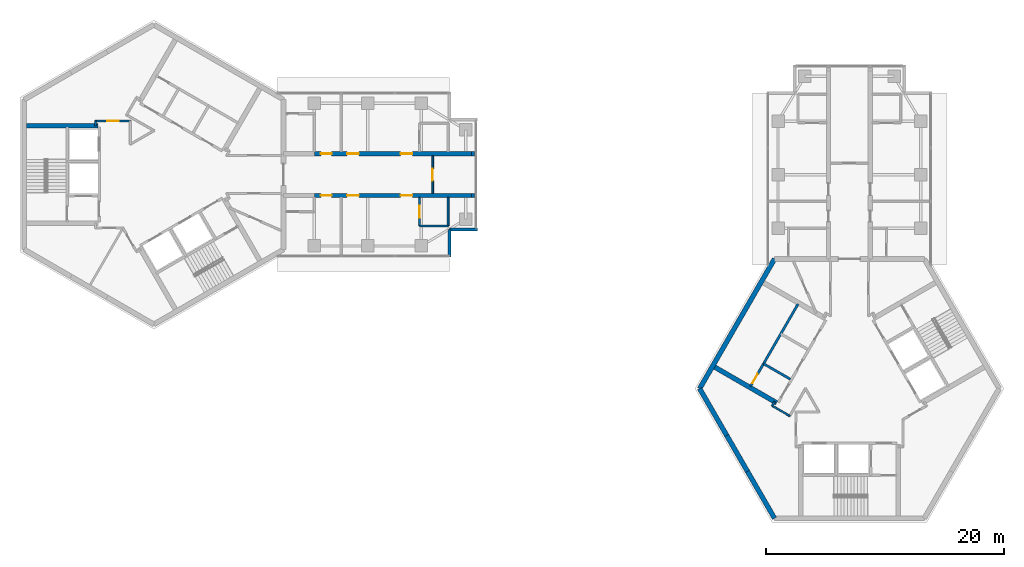
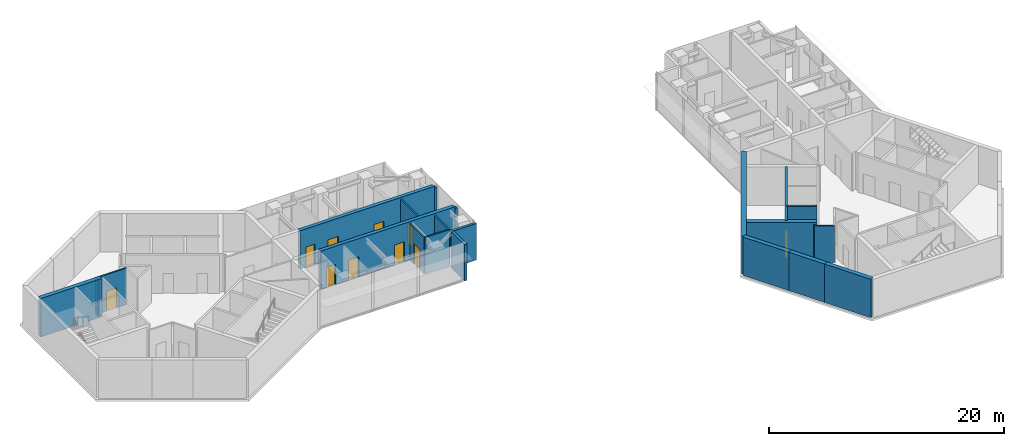
# One storey, part 6 of 11: 22 walls, 10 doors, 10 openings.
"""IFC4 building model written with IfcOpenShell, lengths in metres."""

from ifc_helpers import new_model, si_unit, direction, frame, frame_2d, origin, place, context, subcontext, project, spatial, rectangle, extrude, material, layer, layer_set, type_object, element, fill, save


model = new_model("IFC4")

# Units and contexts
model_context = context("Model", 3, precision=1e-05, world=origin(), true_north=direction((0.0, 1.0)))
body_context = subcontext(model_context, "Body", "Model", "MODEL_VIEW")
ifc_project = project(units=[si_unit("LENGTHUNIT", "METRE"), si_unit("AREAUNIT", "SQUARE_METRE"), si_unit("VOLUMEUNIT", "CUBIC_METRE"), si_unit("PLANEANGLEUNIT", "RADIAN"), si_unit("MASSUNIT", "GRAM", prefix="KILO")], contexts=[model_context])

# Site, building, storey
site_placement = place(None, origin())
site = spatial("IfcSite", under=ifc_project, at=site_placement, CompositionType="ELEMENT")
building_placement = place(site_placement, origin())
building = spatial("IfcBuilding", under=site, at=building_placement, Name="Upepo Twin Towers", CompositionType="ELEMENT")
storey_placement = place(building_placement, frame((0.0, 0.0, 251.5)))
storey = spatial("IfcBuildingStorey", under=building, at=storey_placement, Name="L61", CompositionType="ELEMENT", Elevation=251.5)

# Walls
ifc_material_1 = material(Name="Dense concrete blockwork", Category="masonry")
ifc_layer_1 = layer(ifc_material_1, 0.35009765625)
ifc_layer_set_1 = layer_set([ifc_layer_1], Name="Buttress closer 350, blockwork with fire-stopping to the curtain wall")
wall_type_1 = type_object("IfcWallType", Name="Buttress closer 350, blockwork with fire-stopping to the curtain wall", PredefinedType="PARTITIONING", material=ifc_layer_set_1)
for number, where, z_axis, x_axis, name in (
    (1, (26.699951171875, 1.75, 0.0), (0.0, 0.0, 1.0), (1.0, 0.0, 0.0), "T1 L61 wing A buttress closer L"),
    (2, (26.699951171875, -1.75, 0.0), (0.0, 0.0, 1.0), (1.0, 0.0, 0.0), "T1 L61 wing A buttress closer R"),
):
    element("IfcWall", number, at=place(storey_placement, frame(where, z_axis=z_axis, x_axis=x_axis)), inside=storey, type_object=wall_type_1, Name=name, PredefinedType="PARTITIONING", context=body_context, shape_type="SweptSolid", body=[
        extrude(rectangle(XDim=0.275146484375, YDim=0.35009765625, at=frame_2d((0.1376953125, 0.0))), origin(), (0.0, 0.0, 1.0), 3.800048828125),
    ])

# Wall, openings, doors
ifc_material_2 = material(Name="Concrete C60/75", Category="concrete")
ifc_layer_2 = layer(ifc_material_2, 0.35009765625)
ifc_layer_set_2 = layer_set([ifc_layer_2], Name="Concrete C60/75")
wall_type_2 = type_object("IfcWallType", Name="Buttress wall 350 RC", PredefinedType="SHEAR", material=ifc_layer_set_2)
wall_1_placement = place(storey_placement, frame((13.5, 1.75, 0.0), z_axis=(0.0, 0.0, 1.0), x_axis=(1.0, 0.0, 0.0)))
wall_1 = element("IfcWall", 3, at=wall_1_placement, inside=storey, type_object=wall_type_2, Name="T1 wing A buttress wall L part 2", PredefinedType="SHEAR", context=body_context, shape_type="SweptSolid", body=[
    extrude(rectangle(XDim=13.199951171875, YDim=0.35009765625, at=frame_2d((6.60009765625, 0.0))), origin(), (0.0, 0.0, 1.0), 4.0),
])
opening_1_placement = place(wall_1_placement, frame((0.550048828125, 0.0, 0.0)))
opening_1 = element("IfcOpeningElement", 4, at=opening_1_placement, cuts=wall_1, Name="Opening D11", PredefinedType="OPENING", context=body_context, shape_type="SweptSolid", body=[
    extrude(rectangle(XDim=0.89990234375, YDim=2.10009765625, at=frame_2d((0.449951171875, 1.050048828125))), frame((0.0, 0.18505859375, 0.0), z_axis=(0.0, -1.0, 0.0), x_axis=(1.0, 0.0, 0.0)), (0.0, 0.0, 1.0), 0.3701171875),
])
opening_2_placement = place(wall_1_placement, frame((2.75, 0.0, 0.0)))
opening_2 = element("IfcOpeningElement", 5, at=opening_2_placement, cuts=wall_1, Name="Opening D1", PredefinedType="OPENING", context=body_context, shape_type="SweptSolid", body=[
    extrude(rectangle(XDim=1.0, YDim=2.10009765625, at=frame_2d((0.5, 1.050048828125))), frame((0.0, 0.18505859375, 0.0), z_axis=(0.0, -1.0, 0.0), x_axis=(1.0, 0.0, 0.0)), (0.0, 0.0, 1.0), 0.3701171875),
])
opening_3_placement = place(wall_1_placement, frame((7.25, 0.0, 0.0)))
opening_3 = element("IfcOpeningElement", 6, at=opening_3_placement, cuts=wall_1, Name="Opening D1", PredefinedType="OPENING", context=body_context, shape_type="SweptSolid", body=[
    extrude(rectangle(XDim=1.0, YDim=2.10009765625, at=frame_2d((0.5, 1.050048828125))), frame((0.0, 0.18505859375, 0.0), z_axis=(0.0, -1.0, 0.0), x_axis=(1.0, 0.0, 0.0)), (0.0, 0.0, 1.0), 0.3701171875),
])
ifc_material_3 = material(Name="Timber doorset", Category="wood")
door_type_1 = type_object("IfcDoorType", Name="Room door 1000 FD30", OperationType="SINGLE_SWING_LEFT", PredefinedType="DOOR", material=ifc_material_3)
door_1_placement = place(opening_2_placement, origin())
door_1 = element("IfcDoor", 7, at=door_1_placement, inside=storey, type_object=door_type_1, Name="T1 L61 open-plan office door", OperationType="SINGLE_SWING_LEFT", OverallHeight=2.10009765625, OverallWidth=1.0, PredefinedType="DOOR", context=body_context, shape_type="SweptSolid", body=[
    extrude(rectangle(XDim=1.0, YDim=2.10009765625, at=frame_2d((0.5, 1.050048828125))), frame((0.0, 0.02490234375, 0.0), z_axis=(0.0, -1.0, 0.0), x_axis=(1.0, 0.0, 0.0)), (0.0, 0.0, 1.0), 0.050048828125),
])
fill(opening_2, door_1)
door_2_placement = place(opening_3_placement, origin())
door_2 = element("IfcDoor", 8, at=door_2_placement, inside=storey, type_object=door_type_1, Name="T1 L61 open-plan office door", OperationType="SINGLE_SWING_RIGHT", OverallHeight=2.10009765625, OverallWidth=1.0, PredefinedType="DOOR", context=body_context, shape_type="SweptSolid", body=[
    extrude(rectangle(XDim=1.0, YDim=2.10009765625, at=frame_2d((0.5, 1.050048828125))), frame((0.0, 0.02490234375, 0.0), z_axis=(0.0, -1.0, 0.0), x_axis=(1.0, 0.0, 0.0)), (0.0, 0.0, 1.0), 0.050048828125),
])
fill(opening_3, door_2)
ifc_material_4 = material(Name="Timber doorset", Category="wood")
door_type_2 = type_object("IfcDoorType", Name="Toilet door 900", OperationType="SINGLE_SWING_LEFT", PredefinedType="DOOR", material=ifc_material_4)
door_3_placement = place(opening_1_placement, origin())
door_3 = element("IfcDoor", 9, at=door_3_placement, inside=storey, type_object=door_type_2, Name="T1 L61 accessible wc door", OperationType="SINGLE_SWING_LEFT", OverallHeight=2.10009765625, OverallWidth=0.89990234375, PredefinedType="DOOR", context=body_context, shape_type="SweptSolid", body=[
    extrude(rectangle(XDim=0.89990234375, YDim=2.10009765625, at=frame_2d((0.449951171875, 1.050048828125))), frame((0.0, 0.02490234375, 0.0), z_axis=(0.0, -1.0, 0.0), x_axis=(1.0, 0.0, 0.0)), (0.0, 0.0, 1.0), 0.050048828125),
])
fill(opening_1, door_3)

wall_2_placement = place(storey_placement, frame((13.5, -1.75, 0.0), z_axis=(0.0, 0.0, 1.0), x_axis=(1.0, 0.0, 0.0)))
wall_2 = element("IfcWall", 10, at=wall_2_placement, inside=storey, type_object=wall_type_2, Name="T1 wing A buttress wall R part 2", PredefinedType="SHEAR", context=body_context, shape_type="SweptSolid", body=[
    extrude(rectangle(XDim=13.199951171875, YDim=0.35009765625, at=frame_2d((6.60009765625, 0.0))), origin(), (0.0, 0.0, 1.0), 4.0),
])
opening_4_placement = place(wall_2_placement, frame((0.550048828125, 0.0, 0.0)))
opening_4 = element("IfcOpeningElement", 11, at=opening_4_placement, cuts=wall_2, Name="Opening D11", PredefinedType="OPENING", context=body_context, shape_type="SweptSolid", body=[
    extrude(rectangle(XDim=0.89990234375, YDim=2.10009765625, at=frame_2d((0.449951171875, 1.050048828125))), frame((0.0, 0.18505859375, 0.0), z_axis=(0.0, -1.0, 0.0), x_axis=(1.0, 0.0, 0.0)), (0.0, 0.0, 1.0), 0.3701171875),
])
opening_5_placement = place(wall_2_placement, frame((2.75, 0.0, 0.0)))
opening_5 = element("IfcOpeningElement", 12, at=opening_5_placement, cuts=wall_2, Name="Opening D1", PredefinedType="OPENING", context=body_context, shape_type="SweptSolid", body=[
    extrude(rectangle(XDim=1.0, YDim=2.10009765625, at=frame_2d((0.5, 1.050048828125))), frame((0.0, 0.18505859375, 0.0), z_axis=(0.0, -1.0, 0.0), x_axis=(1.0, 0.0, 0.0)), (0.0, 0.0, 1.0), 0.3701171875),
])
opening_6_placement = place(wall_2_placement, frame((7.25, 0.0, 0.0)))
opening_6 = element("IfcOpeningElement", 13, at=opening_6_placement, cuts=wall_2, Name="Opening D1", PredefinedType="OPENING", context=body_context, shape_type="SweptSolid", body=[
    extrude(rectangle(XDim=1.0, YDim=2.10009765625, at=frame_2d((0.5, 1.050048828125))), frame((0.0, 0.18505859375, 0.0), z_axis=(0.0, -1.0, 0.0), x_axis=(1.0, 0.0, 0.0)), (0.0, 0.0, 1.0), 0.3701171875),
])
door_4_placement = place(opening_5_placement, origin())
door_4 = element("IfcDoor", 14, at=door_4_placement, inside=storey, type_object=door_type_1, Name="T1 L61 open-plan office door", OperationType="SINGLE_SWING_LEFT", OverallHeight=2.10009765625, OverallWidth=1.0, PredefinedType="DOOR", context=body_context, shape_type="SweptSolid", body=[
    extrude(rectangle(XDim=1.0, YDim=2.10009765625, at=frame_2d((0.5, 1.050048828125))), frame((0.0, 0.02490234375, 0.0), z_axis=(0.0, -1.0, 0.0), x_axis=(1.0, 0.0, 0.0)), (0.0, 0.0, 1.0), 0.050048828125),
])
fill(opening_5, door_4)
door_5_placement = place(opening_6_placement, origin())
door_5 = element("IfcDoor", 15, at=door_5_placement, inside=storey, type_object=door_type_1, Name="T1 L61 open-plan office door", OperationType="SINGLE_SWING_RIGHT", OverallHeight=2.10009765625, OverallWidth=1.0, PredefinedType="DOOR", context=body_context, shape_type="SweptSolid", body=[
    extrude(rectangle(XDim=1.0, YDim=2.10009765625, at=frame_2d((0.5, 1.050048828125))), frame((0.0, 0.02490234375, 0.0), z_axis=(0.0, -1.0, 0.0), x_axis=(1.0, 0.0, 0.0)), (0.0, 0.0, 1.0), 0.050048828125),
])
fill(opening_6, door_5)
door_6_placement = place(opening_4_placement, origin())
door_6 = element("IfcDoor", 16, at=door_6_placement, inside=storey, type_object=door_type_2, Name="T1 L61 toilets door", OperationType="SINGLE_SWING_LEFT", OverallHeight=2.10009765625, OverallWidth=0.89990234375, PredefinedType="DOOR", context=body_context, shape_type="SweptSolid", body=[
    extrude(rectangle(XDim=0.89990234375, YDim=2.10009765625, at=frame_2d((0.449951171875, 1.050048828125))), frame((0.0, 0.02490234375, 0.0), z_axis=(0.0, -1.0, 0.0), x_axis=(1.0, 0.0, 0.0)), (0.0, 0.0, 1.0), 0.050048828125),
])
fill(opening_4, door_6)

# Walls
ifc_material_5 = material(Name="Concrete C60/75", Category="concrete")
ifc_layer_3 = layer(ifc_material_5, 0.39990234375)
ifc_layer_set_3 = layer_set([ifc_layer_3], Name="Concrete C60/75")
wall_type_3 = type_object("IfcWallType", Name="Core wall 400 RC", PredefinedType="SHEAR", material=ifc_layer_set_3)
wall_3_placement = place(storey_placement, frame((52.2021484375, -7.091552734375, 0.0), z_axis=(0.0, 0.0, 1.0), x_axis=(-0.500005998175, -0.866021940709, 0.0)))
element("IfcWall", 17, at=wall_3_placement, inside=storey, type_object=wall_type_3, Name="T2 core wall 060", PredefinedType="SHEAR", context=body_context, shape_type="SweptSolid", body=[
    extrude(rectangle(XDim=12.595947265625, YDim=0.39990234375, at=frame_2d((6.2978515625, 0.0))), origin(), (0.0, 0.0, 1.0), 4.0),
])
wall_4_placement = place(storey_placement, frame((45.904052734375, -18.0, 0.0), z_axis=(0.0, 0.0, 1.0), x_axis=(0.500024481964, -0.866011268655, 0.0)))
element("IfcWall", 18, at=wall_4_placement, inside=storey, type_object=wall_type_3, Name="T2 core wall 120 R", PredefinedType="SHEAR", context=body_context, shape_type="SweptSolid", body=[
    extrude(rectangle(XDim=4.548095703125, YDim=0.39990234375, at=frame_2d((2.27392578125, 0.0))), origin(), (0.0, 0.0, 1.0), 4.0),
])
wall_5_placement = place(storey_placement, frame((48.17822265625, -21.938720703125, 0.0), z_axis=(0.0, 0.0, 1.0), x_axis=(0.500010275428, -0.866019471182, 0.0)))
element("IfcWall", 19, at=wall_5_placement, inside=storey, type_object=wall_type_3, Name="T2 core wall 120", PredefinedType="SHEAR", context=body_context, shape_type="SweptSolid", body=[
    extrude(rectangle(XDim=3.5, YDim=0.39990234375, at=frame_2d((1.75, 0.0))), origin(), (0.0, 0.0, 1.0), 4.0),
])
wall_6_placement = place(storey_placement, frame((49.92822265625, -24.9697265625, 0.0), z_axis=(0.0, 0.0, 1.0), x_axis=(0.499984222037, -0.866034513004, 0.0)))
element("IfcWall", 20, at=wall_6_placement, inside=storey, type_object=wall_type_3, Name="T2 core wall 120 L", PredefinedType="SHEAR", context=body_context, shape_type="SweptSolid", body=[
    extrude(rectangle(XDim=4.548095703125, YDim=0.39990234375, at=frame_2d((2.27392578125, 0.0))), origin(), (0.0, 0.0, 1.0), 4.0),
])
ifc_material_6 = material(Name="Blockwork with anodised aluminium cladding", Category="masonry")
ifc_layer_4 = layer(ifc_material_6, 0.25)
ifc_layer_set_4 = layer_set([ifc_layer_4], Name="Notch cladding wall 250, pale metal")
wall_type_4 = type_object("IfcWallType", Name="Notch cladding wall 250, pale metal", PredefinedType="STANDARD", material=ifc_layer_set_4)
for number, where, z_axis, x_axis, name in (
    (21, (24.875, -6.949951171875, 0.0), (0.0, 0.0, 1.0), (0.0, 1.0, 0.0), "T1 L61 wing A notch wall R1"),
    (22, (24.875, -4.625, 0.0), (0.0, 0.0, 1.0), (1.0, 0.0, 0.0), "T1 L61 wing A notch wall R2"),
):
    element("IfcWall", number, at=place(storey_placement, frame(where, z_axis=z_axis, x_axis=x_axis)), inside=storey, type_object=wall_type_4, Name=name, PredefinedType="STANDARD", context=body_context, shape_type="SweptSolid", body=[
        extrude(rectangle(XDim=2.324951171875, YDim=0.25, at=frame_2d((1.16259765625, 0.0))), origin(), (0.0, 0.0, 1.0), 3.800048828125),
    ])
ifc_material_7 = material(Name="Concrete C40/50", Category="concrete")
ifc_layer_5 = layer(ifc_material_7, 0.199951171875)
ifc_layer_set_5 = layer_set([ifc_layer_5], Name="Concrete C40/50")
wall_type_5 = type_object("IfcWallType", Name="Shaft wall 200 RC", PredefinedType="SHEAR", material=ifc_layer_set_5)
wall_7_placement = place(storey_placement, frame((53.52978515625, -17.208740234375, 0.0), z_axis=(0.0, 0.0, 1.0), x_axis=(-0.866062058628, 0.499936506574, 0.0)))
element("IfcWall", 23, at=wall_7_placement, inside=storey, type_object=wall_type_5, Name="T2 core W60 lobby wall", PredefinedType="SHEAR", context=body_context, shape_type="SweptSolid", body=[
    extrude(rectangle(XDim=2.599853515625, YDim=0.199951171875, at=frame_2d((1.2998046875, 0.0))), origin(), (0.0, 0.0, 1.0), 4.0),
])

# Wall, opening, door
wall_8_placement = place(storey_placement, frame((54.177978515625, -10.885986328125, 0.0), z_axis=(0.0, 0.0, 1.0), x_axis=(-0.49999894854, -0.866026010844, 0.0)))
wall_8 = element("IfcWall", 24, at=wall_8_placement, inside=storey, type_object=wall_type_5, Name="T2 core W60 stair wall", PredefinedType="SHEAR", context=body_context, shape_type="SweptSolid", body=[
    extrude(rectangle(XDim=8.0, YDim=0.199951171875, at=frame_2d((4.0, 0.0))), origin(), (0.0, 0.0, 1.0), 4.0),
])
opening_7_placement = place(wall_8_placement, frame((6.800048828125, 0.0, 0.0)))
opening_7 = element("IfcOpeningElement", 25, at=opening_7_placement, cuts=wall_8, Name="Opening D9", PredefinedType="OPENING", context=body_context, shape_type="SweptSolid", body=[
    extrude(rectangle(XDim=0.89990234375, YDim=2.10009765625, at=frame_2d((0.449951171875, 1.050048828125))), frame((0.0, 0.10986328125, 0.0), z_axis=(0.0, -1.0, 0.0), x_axis=(1.0, 0.0, 0.0)), (0.0, 0.0, 1.0), 0.219970703125),
])
ifc_material_8 = material(Name="Timber doorset", Category="wood")
door_type_3 = type_object("IfcDoorType", Name="Riser door 900 FD60", OperationType="SINGLE_SWING_LEFT", PredefinedType="DOOR", material=ifc_material_8)
door_7_placement = place(opening_7_placement, origin())
door_7 = element("IfcDoor", 26, at=door_7_placement, inside=storey, type_object=door_type_3, Name="T2 L61 riser door", OperationType="SINGLE_SWING_RIGHT", OverallHeight=2.10009765625, OverallWidth=0.89990234375, PredefinedType="DOOR", context=body_context, shape_type="SweptSolid", body=[
    extrude(rectangle(XDim=0.89990234375, YDim=2.10009765625, at=frame_2d((0.449951171875, 1.050048828125))), frame((0.0, 0.02490234375, 0.0), z_axis=(0.0, -1.0, 0.0), x_axis=(1.0, 0.0, 0.0)), (0.0, 0.0, 1.0), 0.050048828125),
])
fill(opening_7, door_7)

# Walls
ifc_material_9 = material(Name="Concrete C40/50", Category="concrete")
ifc_layer_6 = layer(ifc_material_9, 0.39990234375)
ifc_layer_set_6 = layer_set([ifc_layer_6], Name="Concrete C40/50")
wall_type_6 = type_object("IfcWallType", Name="Shaft wall 400 RC", PredefinedType="SHEAR", material=ifc_layer_set_6)
for number, where, z_axis, x_axis, name in (
    (27, (-4.699951171875, 4.10009765625, 0.0), (0.0, 0.0, 1.0), (-1.0, 0.0, 0.0), "T1 core W180 side wall S"),
    (28, (52.379638671875, -19.20068359375, 0.0), (0.0, 0.0, 1.0), (-0.866026570101, 0.499997979876, 0.0), "T2 core W60 side wall N"),
):
    element("IfcWall", number, at=place(storey_placement, frame(where, z_axis=z_axis, x_axis=x_axis)), inside=storey, type_object=wall_type_6, Name=name, PredefinedType="SHEAR", context=body_context, shape_type="SweptSolid", body=[
        extrude(rectangle(XDim=6.00830078125, YDim=0.39990234375, at=frame_2d((3.004150390625, 0.0))), origin(), (0.0, 0.0, 1.0), 4.0),
    ])
ifc_material_10 = material(Name="Gypsum board on steel studs", Category="steel")
ifc_layer_7 = layer(ifc_material_10, 0.14990234375)
ifc_layer_set_7 = layer_set([ifc_layer_7], Name="Teaching partition 150 acoustic")
wall_type_7 = type_object("IfcWallType", Name="Teaching partition 150 acoustic", PredefinedType="PARTITIONING", material=ifc_layer_set_7)
wall_9_placement = place(storey_placement, frame((22.35009765625, -4.324951171875, 0.0), z_axis=(0.0, 0.0, 1.0), x_axis=(1.0, 0.0, 0.0)))
element("IfcWall", 29, at=wall_9_placement, inside=storey, type_object=wall_type_7, Name="T1 inner room partition AR at 22.35", PredefinedType="PARTITIONING", context=body_context, shape_type="SweptSolid", body=[
    extrude(rectangle(XDim=2.39990234375, YDim=0.14990234375, at=frame_2d((1.199951171875, 0.0))), origin(), (0.0, 0.0, 1.0), 3.800048828125),
])

# Wall, opening, door
wall_10_placement = place(storey_placement, frame((22.35009765625, -1.925048828125, 0.0), z_axis=(0.0, 0.0, 1.0), x_axis=(0.0, -1.0, 0.0)))
wall_10 = element("IfcWall", 30, at=wall_10_placement, inside=storey, type_object=wall_type_7, Name="T1 inner room partition AR end at 22.35", PredefinedType="PARTITIONING", context=body_context, shape_type="SweptSolid", body=[
    extrude(rectangle(XDim=2.39990234375, YDim=0.14990234375, at=frame_2d((1.199951171875, 0.0))), origin(), (0.0, 0.0, 1.0), 3.800048828125),
])
opening_8_placement = place(wall_10_placement, frame((0.699951171875, 0.0, 0.0)))
opening_8 = element("IfcOpeningElement", 31, at=opening_8_placement, cuts=wall_10, Name="Opening D1", PredefinedType="OPENING", context=body_context, shape_type="SweptSolid", body=[
    extrude(rectangle(XDim=1.0, YDim=2.10009765625, at=frame_2d((0.5, 1.050048828125))), frame((0.0, 0.0849609375, 0.0), z_axis=(0.0, -1.0, 0.0), x_axis=(1.0, 0.0, 0.0)), (0.0, 0.0, 1.0), 0.169921875),
])
door_8_placement = place(opening_8_placement, origin())
door_8 = element("IfcDoor", 32, at=door_8_placement, inside=storey, type_object=door_type_1, Name="T1 L61 inner room door", OperationType="SINGLE_SWING_LEFT", OverallHeight=2.10009765625, OverallWidth=1.0, PredefinedType="DOOR", context=body_context, shape_type="SweptSolid", body=[
    extrude(rectangle(XDim=1.0, YDim=2.10009765625, at=frame_2d((0.5, 1.050048828125))), frame((0.0, 0.02490234375, 0.0), z_axis=(0.0, -1.0, 0.0), x_axis=(1.0, 0.0, 0.0)), (0.0, 0.0, 1.0), 0.050048828125),
])
fill(opening_8, door_8)

# Walls
wall_11_placement = place(storey_placement, frame((24.75, -1.925048828125, 0.0), z_axis=(0.0, 0.0, 1.0), x_axis=(0.0, -1.0, 0.0)))
element("IfcWall", 33, at=wall_11_placement, inside=storey, type_object=wall_type_7, Name="T1 inner room partition AR end at 24.75", PredefinedType="PARTITIONING", context=body_context, shape_type="SweptSolid", body=[
    extrude(rectangle(XDim=2.39990234375, YDim=0.14990234375, at=frame_2d((1.199951171875, 0.0))), origin(), (0.0, 0.0, 1.0), 3.800048828125),
])
wall_12_placement = place(storey_placement, frame((-4.89990234375, 4.090087890625, 0.0), z_axis=(0.0, 0.0, 1.0), x_axis=(0.0, 1.0, 0.0)))
element("IfcWall", 34, at=wall_12_placement, inside=storey, type_object=wall_type_7, Name="T1 core room partition 6", PredefinedType="PARTITIONING", context=body_context, shape_type="SweptSolid", body=[
    extrude(rectangle(XDim=0.429931640625, YDim=0.14990234375, at=frame_2d((0.21484375, 0.0))), origin(), (0.0, 0.0, 1.0), 3.800048828125),
])

# Wall, opening, door
wall_13_placement = place(storey_placement, frame((-4.919921875, 4.5, 0.0), z_axis=(0.0, 0.0, 1.0), x_axis=(1.0, 0.0, 0.0)))
wall_13 = element("IfcWall", 35, at=wall_13_placement, inside=storey, type_object=wall_type_7, Name="T1 core room partition 7", PredefinedType="PARTITIONING", context=body_context, shape_type="SweptSolid", body=[
    extrude(rectangle(XDim=2.96484375, YDim=0.14990234375, at=frame_2d((1.482421875, 0.0))), origin(), (0.0, 0.0, 1.0), 3.800048828125),
])
opening_9_placement = place(wall_13_placement, frame((0.982421875, 0.0, 0.0)))
opening_9 = element("IfcOpeningElement", 36, at=opening_9_placement, cuts=wall_13, Name="Opening D1", PredefinedType="OPENING", context=body_context, shape_type="SweptSolid", body=[
    extrude(rectangle(XDim=1.0, YDim=2.10009765625, at=frame_2d((0.5, 1.050048828125))), frame((0.0, 0.0849609375, 0.0), z_axis=(0.0, -1.0, 0.0), x_axis=(1.0, 0.0, 0.0)), (0.0, 0.0, 1.0), 0.169921875),
])
door_9_placement = place(opening_9_placement, origin())
door_9 = element("IfcDoor", 37, at=door_9_placement, inside=storey, type_object=door_type_1, Name="T1 L61 core room door K6", OperationType="SINGLE_SWING_RIGHT", OverallHeight=2.10009765625, OverallWidth=1.0, PredefinedType="DOOR", context=body_context, shape_type="SweptSolid", body=[
    extrude(rectangle(XDim=1.0, YDim=2.10009765625, at=frame_2d((0.5, 1.050048828125))), frame((0.0, 0.02490234375, 0.0), z_axis=(0.0, -1.0, 0.0), x_axis=(1.0, 0.0, 0.0)), (0.0, 0.0, 1.0), 0.050048828125),
])
fill(opening_9, door_9)

wall_14_placement = place(storey_placement, frame((23.449951171875, -1.574951171875, 0.0), z_axis=(0.0, 0.0, 1.0), x_axis=(0.0, 1.0, 0.0)))
wall_14 = element("IfcWall", 38, at=wall_14_placement, inside=storey, type_object=wall_type_7, Name="T1 corridor end partition A at 23.45", PredefinedType="PARTITIONING", context=body_context, shape_type="SweptSolid", body=[
    extrude(rectangle(XDim=3.14990234375, YDim=0.14990234375, at=frame_2d((1.574951171875, 0.0))), origin(), (0.0, 0.0, 1.0), 3.800048828125),
])
opening_10_placement = place(wall_14_placement, frame((1.074951171875, 0.0, 0.0)))
opening_10 = element("IfcOpeningElement", 39, at=opening_10_placement, cuts=wall_14, Name="Opening D1", PredefinedType="OPENING", context=body_context, shape_type="SweptSolid", body=[
    extrude(rectangle(XDim=1.0, YDim=2.10009765625, at=frame_2d((0.5, 1.050048828125))), frame((0.0, 0.0849609375, 0.0), z_axis=(0.0, -1.0, 0.0), x_axis=(1.0, 0.0, 0.0)), (0.0, 0.0, 1.0), 0.169921875),
])
door_10_placement = place(opening_10_placement, origin())
door_10 = element("IfcDoor", 40, at=door_10_placement, inside=storey, type_object=door_type_1, Name="T1 L61 breakout study room door", OperationType="SINGLE_SWING_LEFT", OverallHeight=2.10009765625, OverallWidth=1.0, PredefinedType="DOOR", context=body_context, shape_type="SweptSolid", body=[
    extrude(rectangle(XDim=1.0, YDim=2.10009765625, at=frame_2d((0.5, 1.050048828125))), frame((0.0, 0.02490234375, 0.0), z_axis=(0.0, -1.0, 0.0), x_axis=(1.0, 0.0, 0.0)), (0.0, 0.0, 1.0), 0.050048828125),
])
fill(opening_10, door_10)

# Walls
wall_15_placement = place(storey_placement, frame((53.49609375, -20.30712890625, 0.0), z_axis=(0.0, 0.0, 1.0), x_axis=(-0.865989304205, 0.500062521093, 0.0)))
element("IfcWall", 41, at=wall_15_placement, inside=storey, type_object=wall_type_7, Name="T2 core room partition 7", PredefinedType="PARTITIONING", context=body_context, shape_type="SweptSolid", body=[
    extrude(rectangle(XDim=1.739990234375, YDim=0.14990234375, at=frame_2d((0.8701171875, 0.0))), origin(), (0.0, 0.0, 1.0), 3.800048828125),
])
wall_16_placement = place(storey_placement, frame((51.99658203125, -19.46435546875, 0.0), z_axis=(0.0, 0.0, 1.0), x_axis=(0.499804398801, 0.866138304741, 0.0)))
element("IfcWall", 42, at=wall_16_placement, inside=storey, type_object=wall_type_7, Name="T2 core room partition 8", PredefinedType="PARTITIONING", context=body_context, shape_type="SweptSolid", body=[
    extrude(rectangle(XDim=0.429931640625, YDim=0.14990234375, at=frame_2d((0.21484375, 0.0))), origin(), (0.0, 0.0, 1.0), 3.800048828125),
])

save(model, "model.ifc")
